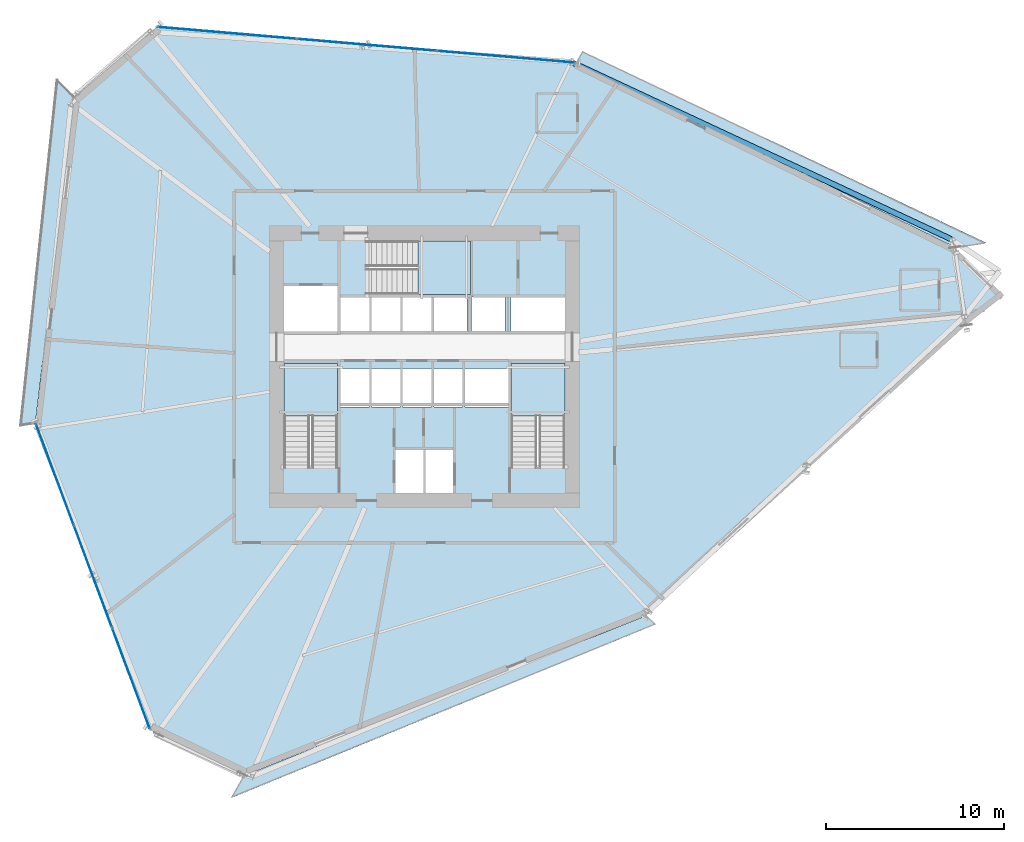
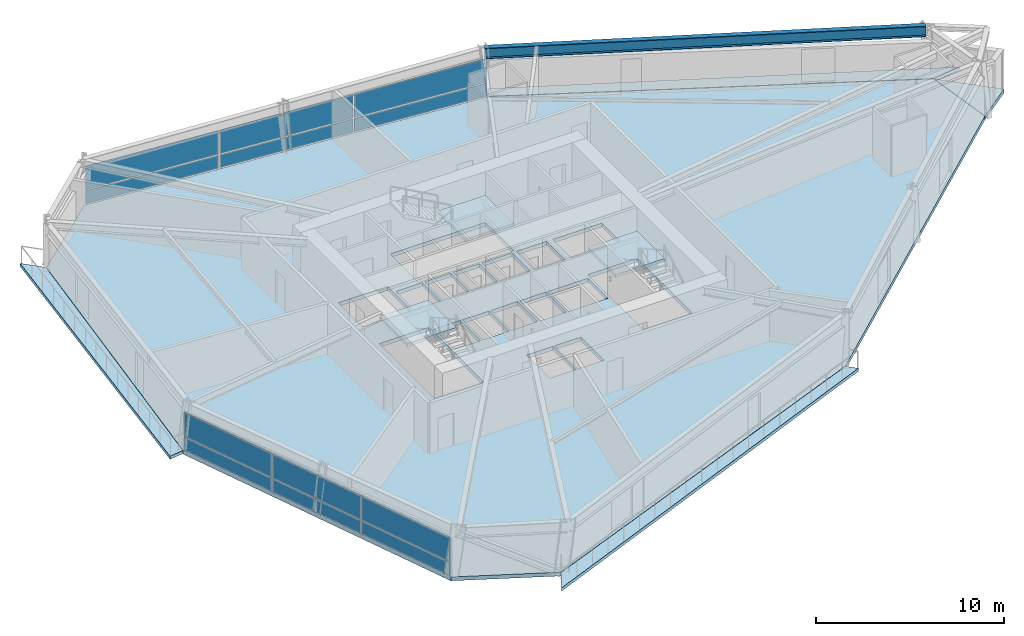
# One storey, part 11 of 21: 12 plates, 8 slabs, 1 beam, 5 elements without a shape of their own.
"""IFC4 building model written with IfcOpenShell, lengths in metres."""

from ifc_helpers import new_model, si_unit, direction, frame, origin, origin_2d, place, context, subcontext, project, spatial, polyline, rectangle, i_section, outline, extrude, source, transform, mapped, material, layer, layer_set, material_profile, profile_set, type_object, element, aggregate, save


model = new_model("IFC4")

# Units and contexts
model_context = context("Model", 3, precision=1e-05, world=origin(), true_north=direction((0.0, 1.0)))
body_context = subcontext(model_context, "Body", "Model", "MODEL_VIEW")
ifc_project = project(units=[si_unit("LENGTHUNIT", "METRE"), si_unit("AREAUNIT", "SQUARE_METRE"), si_unit("VOLUMEUNIT", "CUBIC_METRE"), si_unit("PLANEANGLEUNIT", "RADIAN"), si_unit("MASSUNIT", "GRAM", prefix="KILO")], contexts=[model_context])

# Site, building, storey
site_placement = place(None, origin())
site = spatial("IfcSite", under=ifc_project, at=site_placement, CompositionType="ELEMENT")
building_placement = place(site_placement, origin())
building = spatial("IfcBuilding", under=site, at=building_placement, Name="Olszyna Solenne Hotel", CompositionType="ELEMENT")
storey_placement = place(building_placement, frame((0.0, 0.0, 68.35009765625)))
storey = spatial("IfcBuildingStorey", under=building, at=storey_placement, Name="L17", CompositionType="ELEMENT", Elevation=68.35009765625)

# Beam
ifc_material_1 = material(Name="Steel S355J2", Category="steel")
ifc_material_profile = material_profile(ifc_material_1, i_section(OverallWidth=0.300048828125, OverallDepth=0.699951171875, WebThickness=0.01708984375, FlangeThickness=0.031982421875, at=origin_2d()), Name="HEB 700", Category="load-bearing")
ifc_profile_set = profile_set([ifc_material_profile], Name="Steel S355J2")
beam_type = type_object("IfcBeamType", Name="BM-S1", PredefinedType="BEAM", material=ifc_profile_set)
shared_shape_1 = source(origin(), body_context, "Body", "SweptSolid", [
    extrude(i_section(OverallWidth=0.300048828125, OverallDepth=0.699951171875, WebThickness=0.01708984375, FlangeThickness=0.031982421875, at=origin_2d()), origin(), (0.0, 0.0, 1.0), 23.5517578125),
])
beam_placement = place(storey_placement, frame((67.642333984375, 33.7880859375, 2.949951171875), z_axis=(-0.906303071034, 0.422628375094, 0.0), x_axis=(-0.422628375094, -0.906303071034, 0.0)))
element("IfcBeam", 1, at=beam_placement, inside=storey, type_object=beam_type, Name="Perimeter spandrel beam BM-S1 B-L17-0525", PredefinedType="BEAM", context=body_context, shape_type="MappedRepresentation", body=[
    mapped(shared_shape_1, transform((0.0, 0.0, 0.0), x_axis=(1.0, 0.0, 0.0), y_axis=(0.0, 1.0, 0.0), z_axis=(0.0, 0.0, 1.0), scale=1.0)),
])

# Stair, slab
ifc_material_2 = material(Name="Concrete C40/50", Category="concrete")
stair_type = type_object("IfcStairType", Name="STR-C1", PredefinedType="TWO_QUARTER_WINDING_STAIR", material=ifc_material_2)
stair_1_placement = place(storey_placement, origin())
stair_1 = element("IfcStair", 2, at=stair_1_placement, inside=storey, type_object=stair_type, Name="L17 ST1", PredefinedType="TWO_QUARTER_WINDING_STAIR")
ifc_layer_1 = layer(ifc_material_2, 0.18994140625, Name="Concrete C40/50")
ifc_layer_set_1 = layer_set([ifc_layer_1], Name="Concrete C40/50")
slab_type_1 = type_object("IfcSlabType", Name="SL-LN190", PredefinedType="LANDING", material=ifc_layer_set_1)
slab_1_placement = place(storey_placement, frame((0.0, 0.0, 1.574951171875)))
slab_1 = element("IfcSlab", 3, at=slab_1_placement, type_object=slab_type_1, Name="ST1 landing 1", PredefinedType="LANDING", context=body_context, shape_type="SweptSolid", body=[
    extrude(outline(polyline([(33.1201171875, 23.85009765625), (33.1201171875, 26.800048828125), (30.10009765625, 26.800048828125), (30.10009765625, 23.85009765625), (33.1201171875, 23.85009765625)])), origin(), (0.0, 0.0, 1.0), 0.199951171875),
])
aggregate(stair_1, [slab_1])

stair_2_placement = place(storey_placement, origin())
stair_2 = element("IfcStair", 4, at=stair_2_placement, inside=storey, type_object=stair_type, Name="L17 ST2", PredefinedType="TWO_QUARTER_WINDING_STAIR")
slab_2_placement = place(storey_placement, frame((0.0, 0.0, 1.574951171875)))
slab_2 = element("IfcSlab", 5, at=slab_2_placement, type_object=slab_type_1, Name="ST2 landing 1", PredefinedType="LANDING", context=body_context, shape_type="SweptSolid", body=[
    extrude(outline(polyline([(45.89990234375, 23.85009765625), (45.89990234375, 26.800048828125), (42.8798828125, 26.800048828125), (42.8798828125, 23.85009765625), (45.89990234375, 23.85009765625)])), origin(), (0.0, 0.0, 1.0), 0.199951171875),
])
aggregate(stair_2, [slab_2])

stair_3_placement = place(storey_placement, origin())
stair_3 = element("IfcStair", 6, at=stair_3_placement, inside=storey, type_object=stair_type, Name="L17 ST3", PredefinedType="TWO_QUARTER_WINDING_STAIR")
slab_3_placement = place(storey_placement, frame((0.0, 0.0, 1.574951171875)))
slab_3 = element("IfcSlab", 7, at=slab_3_placement, type_object=slab_type_1, Name="ST3 landing 1", PredefinedType="LANDING", context=body_context, shape_type="SweptSolid", body=[
    extrude(outline(polyline([(37.6298828125, 30.679931640625), (40.580078125, 30.679931640625), (40.580078125, 33.699951171875), (37.6298828125, 33.699951171875), (37.6298828125, 30.679931640625)])), origin(), (0.0, 0.0, 1.0), 0.199951171875),
])
aggregate(stair_3, [slab_3])

# Slabs
ifc_material_3 = material(Name="Precast concrete C45/55", Category="concrete")
ifc_layer_2 = layer(ifc_material_3, 0.199951171875, Name="Precast concrete C45/55")
ifc_layer_set_2 = layer_set([ifc_layer_2], Name="Precast concrete C45/55")
slab_type_2 = type_object("IfcSlabType", Name="SL-LOG200", PredefinedType="FLOOR", material=ifc_layer_set_2)
slab_4_placement = place(storey_placement, frame((0.0, 0.0, -0.2001953125)))
element("IfcSlab", 8, at=slab_4_placement, inside=storey, type_object=slab_type_2, Name="Exterior loggia balcony slab SL-L17-LG1", PredefinedType="FLOOR", context=body_context, shape_type="SweptSolid", body=[
    extrude(outline(polyline([(46.55078125, 43.72900390625), (67.853271484375, 33.334716796875), (67.8544921875, 33.333984375), (67.85595703125, 33.3330078125), (67.857177734375, 33.331787109375), (67.865234375, 33.323974609375), (69.60791015625, 33.585205078125), (46.913818359375, 44.3642578125), (46.55078125, 43.72900390625)])), origin(), (0.0, 0.0, 1.0), 0.2001953125),
])
slab_5_placement = place(storey_placement, frame((0.0, 0.0, -0.2001953125)))
element("IfcSlab", 9, at=slab_5_placement, inside=storey, type_object=slab_type_2, Name="Exterior loggia balcony slab SL-L17-LG2", PredefinedType="FLOOR", context=body_context, shape_type="SweptSolid", body=[
    extrude(outline(polyline([(16.1083984375, 23.447998046875), (16.108154296875, 23.44921875), (16.108154296875, 23.450439453125), (16.1083984375, 23.451904296875), (18.28564453125, 41.75732421875), (18.285888671875, 41.758544921875), (18.286376953125, 41.760009765625), (18.286865234375, 41.76123046875), (18.287353515625, 41.7626953125), (18.2880859375, 41.763671875), (18.288818359375, 41.764892578125), (18.289794921875, 41.765869140625), (18.2900390625, 41.76611328125), (17.280029296875, 42.7880859375), (15.24267578125, 23.318359375), (16.1083984375, 23.447998046875)])), origin(), (0.0, 0.0, 1.0), 0.2001953125),
])
slab_6_placement = place(storey_placement, frame((0.0, 0.0, -0.2001953125)))
element("IfcSlab", 10, at=slab_6_placement, inside=storey, type_object=slab_type_2, Name="Exterior loggia balcony slab SL-L17-LG3", PredefinedType="FLOOR", context=body_context, shape_type="SweptSolid", body=[
    extrude(outline(polyline([(50.486572265625, 12.60595703125), (50.486083984375, 12.605712890625), (50.48486328125, 12.604736328125), (50.48388671875, 12.60400390625), (50.482666015625, 12.603271484375), (50.4814453125, 12.602783203125), (27.8798828125, 3.62890625), (27.87841796875, 3.62841796875), (27.876953125, 3.6279296875), (27.87548828125, 3.627685546875), (27.873779296875, 3.627685546875), (27.872314453125, 3.627685546875), (27.870849609375, 3.628173828125), (27.869384765625, 3.628662109375), (27.867919921875, 3.629150390625), (27.866943359375, 3.629638671875), (27.1337890625, 2.34619140625), (50.986083984375, 12.100341796875), (50.486572265625, 12.60595703125)])), origin(), (0.0, 0.0, 1.0), 0.2001953125),
])
ifc_material_4 = material(Name="Concrete C50/60", Category="concrete")
ifc_layer_3 = layer(ifc_material_4, 0.25, Name="Concrete C50/60")
ifc_layer_set_3 = layer_set([ifc_layer_3], Name="Concrete C50/60")
slab_type_3 = type_object("IfcSlabType", Name="SL-TW250", PredefinedType="FLOOR", material=ifc_layer_set_3)
slab_7_placement = place(storey_placement, frame((0.0, 0.0, -0.25)))
element("IfcSlab", 11, at=slab_7_placement, inside=storey, type_object=slab_type_3, Name="Floor slab SL-TW250 SL-L17-01", PredefinedType="FLOOR", context=body_context, shape_type="SweptSolid", body=[
    extrude(outline(polyline([(68.478271484375, 28.965087890625), (67.8466796875, 33.3212890625), (46.543212890625, 43.716064453125), (22.92529296875, 45.73388671875), (18.300537109375, 41.755615234375), (16.123291015625, 23.4501953125), (22.574951171875, 6.181640625), (27.87451171875, 3.642578125), (50.475830078125, 12.61669921875), (68.478271484375, 28.965087890625)]), holes=[polyline([(30.10009765625, 20.949951171875), (33.1201171875, 20.949951171875), (33.1201171875, 26.800048828125), (30.10009765625, 26.800048828125), (30.10009765625, 20.949951171875)]), polyline([(42.8798828125, 20.949951171875), (45.89990234375, 20.949951171875), (45.89990234375, 26.800048828125), (42.8798828125, 26.800048828125), (42.8798828125, 20.949951171875)]), polyline([(34.72998046875, 30.679931640625), (40.580078125, 30.679931640625), (40.580078125, 33.699951171875), (34.72998046875, 33.699951171875), (34.72998046875, 30.679931640625)]), polyline([(36.340087890625, 19.5), (37.9599609375, 19.5), (37.9599609375, 21.9599609375), (36.340087890625, 21.9599609375), (36.340087890625, 19.5)]), polyline([(38.0400390625, 19.5), (39.659912109375, 19.5), (39.659912109375, 21.9599609375), (38.0400390625, 21.9599609375), (38.0400390625, 19.5)]), polyline([(30.10009765625, 28.60009765625), (33.1201171875, 28.60009765625), (33.1201171875, 31.159912109375), (30.10009765625, 31.159912109375), (30.10009765625, 28.60009765625)]), polyline([(33.280029296875, 24.360107421875), (34.89990234375, 24.360107421875), (34.89990234375, 26.5), (33.280029296875, 26.5), (33.280029296875, 24.360107421875)]), polyline([(35.030029296875, 24.360107421875), (36.64990234375, 24.360107421875), (36.64990234375, 26.5), (35.030029296875, 26.5), (35.030029296875, 24.360107421875)]), polyline([(36.780029296875, 24.360107421875), (38.39990234375, 24.360107421875), (38.39990234375, 26.5), (36.780029296875, 26.5), (36.780029296875, 24.360107421875)]), polyline([(38.530029296875, 24.360107421875), (40.14990234375, 24.360107421875), (40.14990234375, 26.5), (38.530029296875, 26.5), (38.530029296875, 24.360107421875)]), polyline([(40.280029296875, 24.360107421875), (42.719970703125, 24.360107421875), (42.719970703125, 26.5), (40.280029296875, 26.5), (40.280029296875, 24.360107421875)]), polyline([(33.280029296875, 28.60009765625), (34.89990234375, 28.60009765625), (34.89990234375, 30.550048828125), (33.280029296875, 30.550048828125), (33.280029296875, 28.60009765625)]), polyline([(35.030029296875, 28.60009765625), (36.64990234375, 28.60009765625), (36.64990234375, 30.550048828125), (35.030029296875, 30.550048828125), (35.030029296875, 28.60009765625)]), polyline([(36.780029296875, 28.60009765625), (38.39990234375, 28.60009765625), (38.39990234375, 30.550048828125), (36.780029296875, 30.550048828125), (36.780029296875, 28.60009765625)]), polyline([(38.530029296875, 28.60009765625), (40.389892578125, 28.60009765625), (40.389892578125, 30.550048828125), (38.530029296875, 30.550048828125), (38.530029296875, 28.60009765625)]), polyline([(40.659912109375, 28.60009765625), (42.52001953125, 28.60009765625), (42.52001953125, 30.550048828125), (40.659912109375, 30.550048828125), (40.659912109375, 28.60009765625)]), polyline([(42.8798828125, 28.60009765625), (45.89990234375, 28.60009765625), (45.89990234375, 30.550048828125), (42.8798828125, 30.550048828125), (42.8798828125, 28.60009765625)])]), origin(), (0.0, 0.0, 1.0), 0.25),
])
slab_8_placement = place(storey_placement, frame((0.0, 0.0, -0.25)))
element("IfcSlab", 12, at=slab_8_placement, inside=storey, type_object=slab_type_3, Name="Faceted glass-prism floor slab SL-L17-PR", PredefinedType="FLOOR", context=body_context, shape_type="SweptSolid", body=[
    extrude(outline(polyline([(67.8583984375, 33.309814453125), (68.4873046875, 28.97216796875), (70.6123046875, 30.623291015625), (67.8583984375, 33.309814453125)])), origin(), (0.0, 0.0, 1.0), 0.25),
])

# Curtain wall, plates
ifc_material_5 = material(Name="Anodised bronze aluminium", Category="aluminium")
curtain_wall_type = type_object("IfcCurtainWallType", Name="CW-SYS-2", PredefinedType="NOTDEFINED", material=ifc_material_5)
curtain_wall_1_placement = place(storey_placement, origin())
curtain_wall_1 = element("IfcCurtainWall", 13, at=curtain_wall_1_placement, inside=storey, type_object=curtain_wall_type, Name="Unitised curtain wall CW-SYS-2 CW-L17-01", PredefinedType="NOTDEFINED")
ifc_material_6 = material(Name="Terracotta cladding", Category="masonry")
plate_type_1 = type_object("IfcPlateType", Name="PN-SP1", PredefinedType="CURTAIN_PANEL", material=ifc_material_6)
shared_shape_2 = source(origin(), body_context, "Body", "SweptSolid", [
    extrude(rectangle(XDim=6.0322265625, YDim=0.035888671875, at=origin_2d()), origin(), (0.0, 0.0, 1.0), 0.83740234375),
])
plate_1_placement = place(storey_placement, frame((17.205078125, 20.554443359375, 0.074951171875), z_axis=(0.0, 0.0, 1.0), x_axis=(0.349982368916, -0.936756287114, 0.0)))
plate_1 = element("IfcPlate", 14, at=plate_1_placement, type_object=plate_type_1, Name="Curtain-wall panel PN-SP1 CP-L17-01-01", PredefinedType="CURTAIN_PANEL", context=body_context, shape_type="MappedRepresentation", body=[
    mapped(shared_shape_2, transform((0.0, 0.0, 0.0), x_axis=(1.0, 0.0, 0.0), y_axis=(0.0, 1.0, 0.0), z_axis=(0.0, 0.0, 1.0), scale=1.0)),
])
plate_2_placement = place(storey_placement, frame((21.4931640625, 9.077392578125, 0.074951171875), z_axis=(0.0, 0.0, 1.0), x_axis=(0.349982368916, -0.936756287114, 0.0)))
plate_2 = element("IfcPlate", 15, at=plate_2_placement, type_object=plate_type_1, Name="Curtain-wall panel PN-SP1 CP-L17-01-05", PredefinedType="CURTAIN_PANEL", context=body_context, shape_type="MappedRepresentation", body=[
    mapped(shared_shape_2, transform((0.0, 0.0, 0.0), x_axis=(1.0, 0.0, 0.0), y_axis=(0.0, 1.0, 0.0), z_axis=(0.0, 0.0, 1.0), scale=1.0)),
])
ifc_material_7 = material(Name="Low-E triple glazing", Category="glass")
plate_type_2 = type_object("IfcPlateType", Name="PN-GL1", PredefinedType="CURTAIN_PANEL", material=ifc_material_7)
shared_shape_3 = source(origin(), body_context, "Body", "SweptSolid", [
    extrude(rectangle(XDim=6.0322265625, YDim=0.035888671875, at=origin_2d()), origin(), (0.0, 0.0, 1.0), 1.529541015625),
])
plate_3_placement = place(storey_placement, frame((17.205078125, 20.554443359375, 0.9873046875), z_axis=(0.0, 0.0, 1.0), x_axis=(0.349982368916, -0.936756287114, 0.0)))
plate_3 = element("IfcPlate", 16, at=plate_3_placement, type_object=plate_type_2, Name="Curtain-wall panel PN-GL1 CP-L17-01-02", PredefinedType="CURTAIN_PANEL", context=body_context, shape_type="MappedRepresentation", body=[
    mapped(shared_shape_3, transform((0.0, 0.0, 0.0), x_axis=(1.0, 0.0, 0.0), y_axis=(0.0, 1.0, 0.0), z_axis=(0.0, 0.0, 1.0), scale=1.0)),
])
plate_4_placement = place(storey_placement, frame((21.4931640625, 9.077392578125, 0.9873046875), z_axis=(0.0, 0.0, 1.0), x_axis=(0.349982368916, -0.936756287114, 0.0)))
plate_4 = element("IfcPlate", 17, at=plate_4_placement, type_object=plate_type_2, Name="Curtain-wall panel PN-GL1 CP-L17-01-06", PredefinedType="CURTAIN_PANEL", context=body_context, shape_type="MappedRepresentation", body=[
    mapped(shared_shape_3, transform((0.0, 0.0, 0.0), x_axis=(1.0, 0.0, 0.0), y_axis=(0.0, 1.0, 0.0), z_axis=(0.0, 0.0, 1.0), scale=1.0)),
])
shared_shape_4 = source(origin(), body_context, "Body", "SweptSolid", [
    extrude(rectangle(XDim=6.06982421875, YDim=0.035888671875, at=origin_2d()), origin(), (0.0, 0.0, 1.0), 0.83740234375),
])
plate_5_placement = place(storey_placement, frame((19.34912109375, 14.81591796875, 0.074951171875), z_axis=(0.0, 0.0, 1.0), x_axis=(0.349982368916, -0.936756287114, 0.0)))
plate_5 = element("IfcPlate", 18, at=plate_5_placement, type_object=plate_type_1, Name="Curtain-wall panel PN-SP1 CP-L17-01-03", PredefinedType="CURTAIN_PANEL", context=body_context, shape_type="MappedRepresentation", body=[
    mapped(shared_shape_4, transform((0.0, 0.0, 0.0), x_axis=(1.0, 0.0, 0.0), y_axis=(0.0, 1.0, 0.0), z_axis=(0.0, 0.0, 1.0), scale=1.0)),
])
shared_shape_5 = source(origin(), body_context, "Body", "SweptSolid", [
    extrude(rectangle(XDim=6.06982421875, YDim=0.035888671875, at=origin_2d()), origin(), (0.0, 0.0, 1.0), 1.529541015625),
])
plate_6_placement = place(storey_placement, frame((19.34912109375, 14.81591796875, 0.9873046875), z_axis=(0.0, 0.0, 1.0), x_axis=(0.349982368916, -0.936756287114, 0.0)))
plate_6 = element("IfcPlate", 19, at=plate_6_placement, type_object=plate_type_2, Name="Curtain-wall panel PN-GL1 CP-L17-01-04", PredefinedType="CURTAIN_PANEL", context=body_context, shape_type="MappedRepresentation", body=[
    mapped(shared_shape_5, transform((0.0, 0.0, 0.0), x_axis=(1.0, 0.0, 0.0), y_axis=(0.0, 1.0, 0.0), z_axis=(0.0, 0.0, 1.0), scale=1.0)),
])
aggregate(curtain_wall_1, [plate_1, plate_3, plate_5, plate_6, plate_2, plate_4])

curtain_wall_2_placement = place(storey_placement, origin())
curtain_wall_2 = element("IfcCurtainWall", 20, at=curtain_wall_2_placement, inside=storey, type_object=curtain_wall_type, Name="Unitised curtain wall CW-SYS-2 CW-L17-02", PredefinedType="NOTDEFINED")
shared_shape_6 = source(origin(), body_context, "Body", "SweptSolid", [
    extrude(rectangle(XDim=7.788818359375, YDim=0.035888671875, at=origin_2d()), origin(), (0.0, 0.0, 1.0), 0.83740234375),
])
plate_7_placement = place(storey_placement, frame((26.88037109375, 45.39599609375, 0.074951171875), z_axis=(0.0, 0.0, 1.0), x_axis=(0.996370302376, -0.0851247352, 0.0)))
plate_7 = element("IfcPlate", 21, at=plate_7_placement, type_object=plate_type_1, Name="Curtain-wall panel PN-SP1 CP-L17-02-01", PredefinedType="CURTAIN_PANEL", context=body_context, shape_type="MappedRepresentation", body=[
    mapped(shared_shape_6, transform((0.0, 0.0, 0.0), x_axis=(1.0, 0.0, 0.0), y_axis=(0.0, 1.0, 0.0), z_axis=(0.0, 0.0, 1.0), scale=1.0)),
])
plate_8_placement = place(storey_placement, frame((42.58837890625, 44.053955078125, 0.074951171875), z_axis=(0.0, 0.0, 1.0), x_axis=(0.996370302376, -0.0851247352, 0.0)))
plate_8 = element("IfcPlate", 22, at=plate_8_placement, type_object=plate_type_1, Name="Curtain-wall panel PN-SP1 CP-L17-02-05", PredefinedType="CURTAIN_PANEL", context=body_context, shape_type="MappedRepresentation", body=[
    mapped(shared_shape_6, transform((0.0, 0.0, 0.0), x_axis=(1.0, 0.0, 0.0), y_axis=(0.0, 1.0, 0.0), z_axis=(0.0, 0.0, 1.0), scale=1.0)),
])
shared_shape_7 = source(origin(), body_context, "Body", "SweptSolid", [
    extrude(rectangle(XDim=7.788818359375, YDim=0.035888671875, at=origin_2d()), origin(), (0.0, 0.0, 1.0), 1.529541015625),
])
plate_9_placement = place(storey_placement, frame((26.88037109375, 45.39599609375, 0.9873046875), z_axis=(0.0, 0.0, 1.0), x_axis=(0.996370302376, -0.0851247352, 0.0)))
plate_9 = element("IfcPlate", 23, at=plate_9_placement, type_object=plate_type_2, Name="Curtain-wall panel PN-GL1 CP-L17-02-02", PredefinedType="CURTAIN_PANEL", context=body_context, shape_type="MappedRepresentation", body=[
    mapped(shared_shape_7, transform((0.0, 0.0, 0.0), x_axis=(1.0, 0.0, 0.0), y_axis=(0.0, 1.0, 0.0), z_axis=(0.0, 0.0, 1.0), scale=1.0)),
])
plate_10_placement = place(storey_placement, frame((42.58837890625, 44.053955078125, 0.9873046875), z_axis=(0.0, 0.0, 1.0), x_axis=(0.996370302376, -0.0851247352, 0.0)))
plate_10 = element("IfcPlate", 24, at=plate_10_placement, type_object=plate_type_2, Name="Curtain-wall panel PN-GL1 CP-L17-02-06", PredefinedType="CURTAIN_PANEL", context=body_context, shape_type="MappedRepresentation", body=[
    mapped(shared_shape_7, transform((0.0, 0.0, 0.0), x_axis=(1.0, 0.0, 0.0), y_axis=(0.0, 1.0, 0.0), z_axis=(0.0, 0.0, 1.0), scale=1.0)),
])
shared_shape_8 = source(origin(), body_context, "Body", "SweptSolid", [
    extrude(rectangle(XDim=7.826416015625, YDim=0.035888671875, at=origin_2d()), origin(), (0.0, 0.0, 1.0), 0.83740234375),
])
plate_11_placement = place(storey_placement, frame((34.734375, 44.724853515625, 0.074951171875), z_axis=(0.0, 0.0, 1.0), x_axis=(0.996370302376, -0.0851247352, 0.0)))
plate_11 = element("IfcPlate", 25, at=plate_11_placement, type_object=plate_type_1, Name="Curtain-wall panel PN-SP1 CP-L17-02-03", PredefinedType="CURTAIN_PANEL", context=body_context, shape_type="MappedRepresentation", body=[
    mapped(shared_shape_8, transform((0.0, 0.0, 0.0), x_axis=(1.0, 0.0, 0.0), y_axis=(0.0, 1.0, 0.0), z_axis=(0.0, 0.0, 1.0), scale=1.0)),
])
shared_shape_9 = source(origin(), body_context, "Body", "SweptSolid", [
    extrude(rectangle(XDim=7.826416015625, YDim=0.035888671875, at=origin_2d()), origin(), (0.0, 0.0, 1.0), 1.529541015625),
])
plate_12_placement = place(storey_placement, frame((34.734375, 44.724853515625, 0.9873046875), z_axis=(0.0, 0.0, 1.0), x_axis=(0.996370302376, -0.0851247352, 0.0)))
plate_12 = element("IfcPlate", 26, at=plate_12_placement, type_object=plate_type_2, Name="Curtain-wall panel PN-GL1 CP-L17-02-04", PredefinedType="CURTAIN_PANEL", context=body_context, shape_type="MappedRepresentation", body=[
    mapped(shared_shape_9, transform((0.0, 0.0, 0.0), x_axis=(1.0, 0.0, 0.0), y_axis=(0.0, 1.0, 0.0), z_axis=(0.0, 0.0, 1.0), scale=1.0)),
])
aggregate(curtain_wall_2, [plate_7, plate_9, plate_11, plate_12, plate_8, plate_10])

save(model, "model.ifc")
